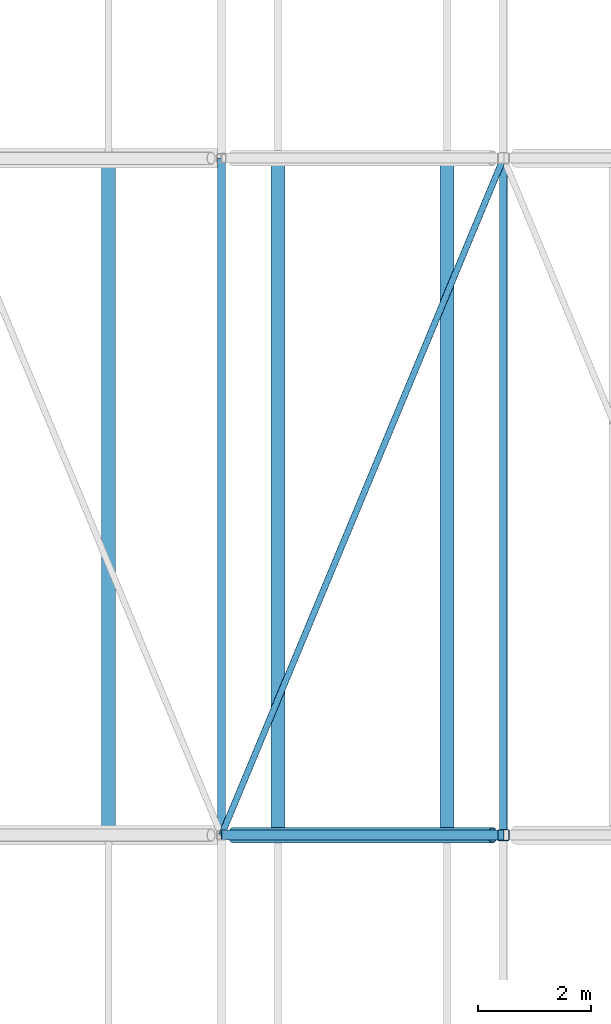
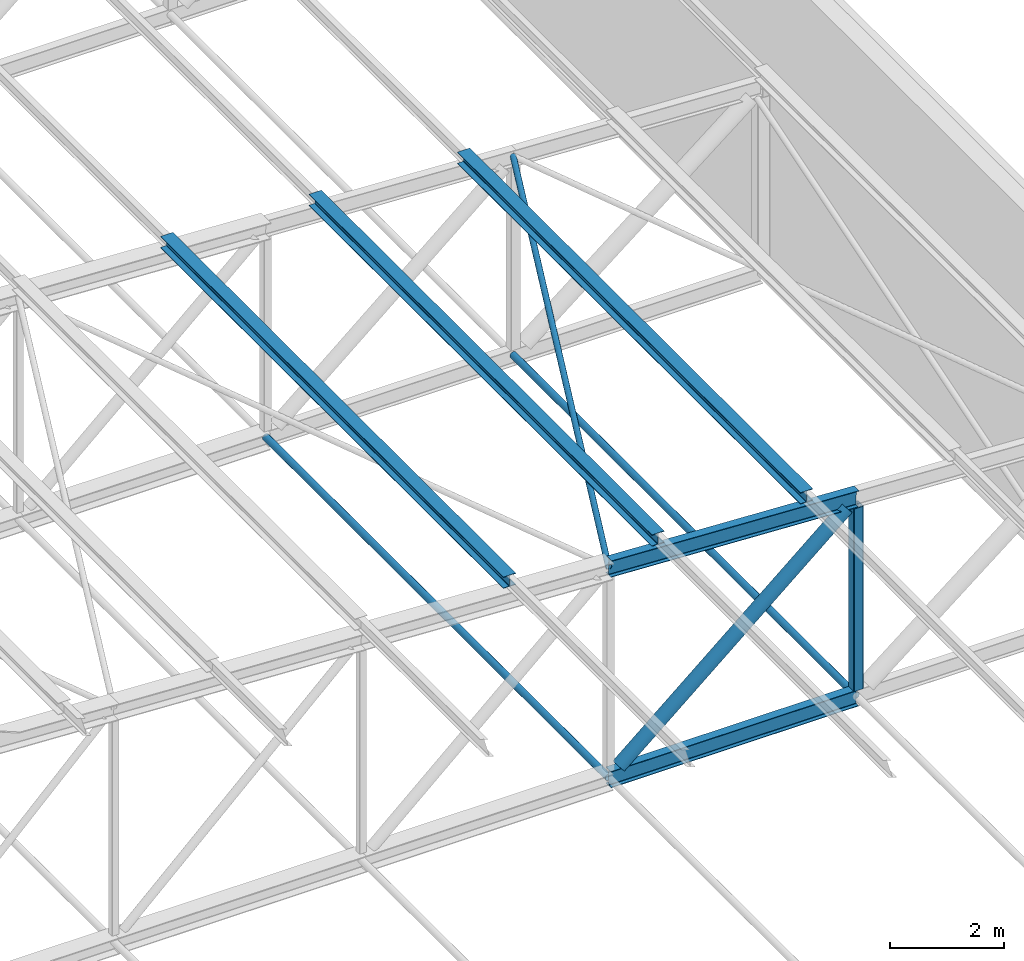
# One storey, part 120 of 156: 10 members.
"""IFC4 building model written with IfcOpenShell, lengths in metres."""

from ifc_helpers import new_model, si_unit, direction, frame, origin, origin_2d, place, context, subcontext, project, spatial, hollow_rectangle, hollow_circle, i_section, extrude, material, material_profile, profile_set, type_object, element, save


model = new_model("IFC4")

# Units and contexts
model_context = context("Model", 3, precision=1e-05, world=origin(), true_north=direction((0.0, 1.0)))
body_context = subcontext(model_context, "Body", "Model", "MODEL_VIEW")
ifc_project = project(units=[si_unit("LENGTHUNIT", "METRE"), si_unit("AREAUNIT", "SQUARE_METRE"), si_unit("VOLUMEUNIT", "CUBIC_METRE"), si_unit("PLANEANGLEUNIT", "RADIAN"), si_unit("MASSUNIT", "GRAM", prefix="KILO")], contexts=[model_context])

# Site, building, storey
site_placement = place(None, origin())
site = spatial("IfcSite", under=ifc_project, at=site_placement, CompositionType="ELEMENT")
building_placement = place(site_placement, origin())
building = spatial("IfcBuilding", under=site, at=building_placement, Name="Lilac Gate Convention Centre", CompositionType="ELEMENT")
storey_placement = place(building_placement, frame((0.0, 0.0, 17.0)))
storey = spatial("IfcBuildingStorey", under=building, at=storey_placement, Name="L03", CompositionType="ELEMENT", Elevation=17.0)

# Members
ifc_material = material(Name="Steel Q355B", Category="steel")
ifc_material_profile_1 = material_profile(ifc_material, hollow_circle(Radius=0.06982421875, WallThickness=0.0048828125, at=origin_2d()), Name="CHS139.7x5")
ifc_profile_set_1 = profile_set([ifc_material_profile_1], Name="Steel Q355B")
member_type_1 = type_object("IfcMemberType", Name="Bottom chord tie CHS139.7x5", PredefinedType="STRUT", material=ifc_profile_set_1)
for number, where, z_axis, x_axis, name in (
    (1, (80.0, 174.00341796875, 0.0), (0.0, 1.0, 0.0), (-1.0, 0.0, 0.0), "ST1 tie bay 13 node 11"),
    (2, (85.0, 174.00341796875, 0.0), (0.0, 1.0, 0.0), (-1.0, 0.0, 0.0), "ST1 tie bay 13 node 12"),
):
    element("IfcMember", number, at=place(storey_placement, frame(where, z_axis=z_axis, x_axis=x_axis)), inside=storey, type_object=member_type_1, Name=name, PredefinedType="STRUT", context=body_context, shape_type="SweptSolid", body=[
        extrude(hollow_circle(Radius=0.06982421875, WallThickness=0.0048828125, at=origin_2d()), origin(), (0.0, 0.0, 1.0), 11.9931640625),
    ])
ifc_material_profile_2 = material_profile(ifc_material, hollow_circle(Radius=0.05712890625, WallThickness=0.0048828125, at=origin_2d()), Name="CHS114.3x5")
ifc_profile_set_2 = profile_set([ifc_material_profile_2], Name="Steel Q355B")
member_type_2 = type_object("IfcMemberType", Name="Roof plane bracing CHS114.3x5", PredefinedType="BRACE", material=ifc_profile_set_2)
member_1_placement = place(storey_placement, frame((80.00146484375, 174.00341796875, 4.5), z_axis=(0.384538867181, 0.922908311091, -0.019238215751), x_axis=(-0.923079146825, 0.384610047578, 0.0)))
element("IfcMember", 3, at=member_1_placement, inside=storey, type_object=member_type_2, Name="BR1 plan bracing bay 13 panel 11", PredefinedType="BRACE", context=body_context, shape_type="SweptSolid", body=[
    extrude(hollow_circle(Radius=0.05712890625, WallThickness=0.0048828125, at=origin_2d()), origin(), (0.0, 0.0, 1.0), 12.994873046875),
])
ifc_material_profile_3 = material_profile(ifc_material, i_section(OverallWidth=0.25, OverallDepth=0.25, WebThickness=0.009033203125, FlangeThickness=0.013916015625, FilletRadius=0.012939453125, at=origin_2d()), Name="HW250x250x9x14")
ifc_profile_set_3 = profile_set([ifc_material_profile_3], Name="Steel Q355B")
member_type_3 = type_object("IfcMemberType", Name="Roof purlin HW250x250x9x14", PredefinedType="PURLIN", material=ifc_profile_set_3)
for number, where, z_axis, x_axis, name in (
    (4, (78.0, 174.0, 4.900146484375), (0.0, 1.0, 0.0), (-1.0, 0.0, 0.0), "PU1 purlin bay 13 line 17"),
    (5, (81.0, 174.0, 4.750244140625), (0.0, 1.0, 0.0), (-1.0, 0.0, 0.0), "PU1 purlin bay 13 line 18"),
    (6, (84.0, 174.0, 4.60009765625), (0.0, 1.0, 0.0), (-1.0, 0.0, 0.0), "PU1 purlin bay 13 line 19"),
):
    element("IfcMember", number, at=place(storey_placement, frame(where, z_axis=z_axis, x_axis=x_axis)), inside=storey, type_object=member_type_3, Name=name, PredefinedType="PURLIN", context=body_context, shape_type="SweptSolid", body=[
        extrude(i_section(OverallWidth=0.25, OverallDepth=0.25, WebThickness=0.009033203125, FlangeThickness=0.013916015625, FilletRadius=0.012939453125, at=origin_2d()), origin(), (0.0, 0.0, 1.0), 12.0),
    ])
ifc_material_profile_4 = material_profile(ifc_material, i_section(OverallWidth=0.175048828125, OverallDepth=0.35009765625, WebThickness=0.007080078125, FlangeThickness=0.010986328125, FilletRadius=0.012939453125, at=origin_2d()), Name="HN350x175x7x11")
ifc_profile_set_4 = profile_set([ifc_material_profile_4], Name="Steel Q355B")
member_type_4 = type_object("IfcMemberType", Name="Truss bottom chord HN350x175x7x11", PredefinedType="CHORD", material=ifc_profile_set_4)
member_2_placement = place(storey_placement, frame((80.0, 174.0, 0.0), z_axis=(1.0, 0.0, 0.0), x_axis=(0.0, 1.0, 0.0)))
element("IfcMember", 7, at=member_2_placement, inside=storey, type_object=member_type_4, Name="TB1 truss 13 bottom chord 11", PredefinedType="CHORD", context=body_context, shape_type="SweptSolid", body=[
    extrude(i_section(OverallWidth=0.175048828125, OverallDepth=0.35009765625, WebThickness=0.007080078125, FlangeThickness=0.010986328125, FilletRadius=0.012939453125, at=origin_2d()), origin(), (0.0, 0.0, 1.0), 5.0),
])
ifc_material_profile_5 = material_profile(ifc_material, hollow_circle(Radius=0.136474609375, WallThickness=0.010009765625, at=origin_2d()), Name="CHS273x10")
ifc_profile_set_5 = profile_set([ifc_material_profile_5], Name="Steel Q355B")
member_type_5 = type_object("IfcMemberType", Name="Truss diagonal CHS273x10", PredefinedType="BRACE", material=ifc_profile_set_5)
member_3_placement = place(storey_placement, frame((84.806884765625, 174.0, 4.085693359375), z_axis=(-0.761961263863, 0.0, -0.647622600263), x_axis=(0.0, -1.0, 0.0)))
element("IfcMember", 8, at=member_3_placement, inside=storey, type_object=member_type_5, Name="TW2 truss 13 diagonal 11", PredefinedType="BRACE", context=body_context, shape_type="SweptSolid", body=[
    extrude(hollow_circle(Radius=0.136474609375, WallThickness=0.010009765625, at=origin_2d()), origin(), (0.0, 0.0, 1.0), 6.03857421875),
])
ifc_material_profile_6 = material_profile(ifc_material, i_section(OverallWidth=0.175048828125, OverallDepth=0.35009765625, WebThickness=0.007080078125, FlangeThickness=0.010986328125, FilletRadius=0.012939453125, at=origin_2d()), Name="HN350x175x7x11")
ifc_profile_set_6 = profile_set([ifc_material_profile_6], Name="Steel Q355B")
member_type_6 = type_object("IfcMemberType", Name="Truss top chord HN350x175x7x11", PredefinedType="CHORD", material=ifc_profile_set_6)
member_4_placement = place(storey_placement, frame((80.0, 174.0, 4.5), z_axis=(0.998752338878, 0.0, -0.049937616944), x_axis=(0.0, 1.0, 0.0)))
element("IfcMember", 9, at=member_4_placement, inside=storey, type_object=member_type_6, Name="TT1 truss 13 top chord 11", PredefinedType="CHORD", context=body_context, shape_type="SweptSolid", body=[
    extrude(i_section(OverallWidth=0.175048828125, OverallDepth=0.35009765625, WebThickness=0.007080078125, FlangeThickness=0.010986328125, FilletRadius=0.012939453125, at=origin_2d()), origin(), (0.0, 0.0, 1.0), 5.00634765625),
])
ifc_material_profile_7 = material_profile(ifc_material, hollow_rectangle(XDim=0.199951171875, YDim=0.199951171875, WallThickness=0.008056640625, InnerFilletRadius=0.011962890625, OuterFilletRadius=0.02001953125, at=origin_2d()), Name="SHS200x200x8")
ifc_profile_set_7 = profile_set([ifc_material_profile_7], Name="Steel Q355B")
member_type_7 = type_object("IfcMemberType", Name="Truss vertical SHS200x200x8", PredefinedType="STRUT", material=ifc_profile_set_7)
member_5_placement = place(storey_placement, frame((85.0, 174.0, 0.175048828125), z_axis=(0.0, 0.0, 1.0), x_axis=(1.0, 0.0, 0.0)))
element("IfcMember", 10, at=member_5_placement, inside=storey, type_object=member_type_7, Name="TV2 truss 13 vertical 12", PredefinedType="STRUT", context=body_context, shape_type="SweptSolid", body=[
    extrude(hollow_rectangle(XDim=0.199951171875, YDim=0.199951171875, WallThickness=0.008056640625, InnerFilletRadius=0.011962890625, OuterFilletRadius=0.02001953125, at=origin_2d()), origin(), (0.0, 0.0, 1.0), 3.899658203125),
])

save(model, "model.ifc")
